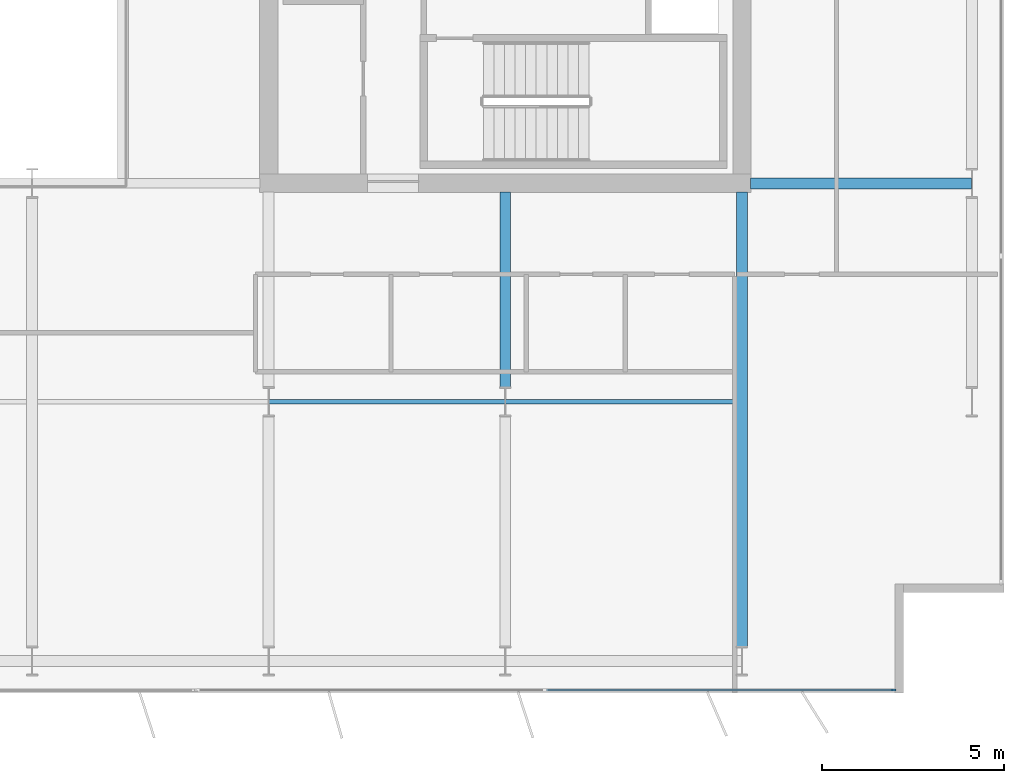
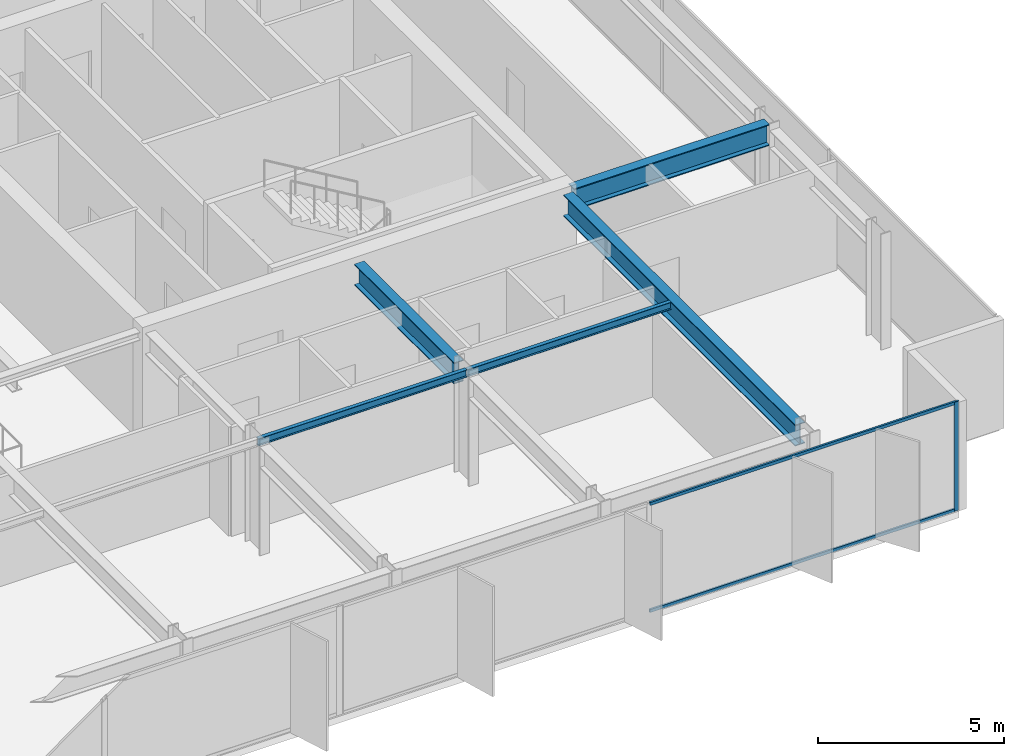
# One storey, part 8 of 23: 5 beams, 3 members, 1 element without a shape of its own.
"""IFC4 building model written with IfcOpenShell, lengths in metres."""

from ifc_helpers import new_model, si_unit, direction, frame, origin, origin_2d, place, context, subcontext, project, spatial, rectangle, i_section, extrude, material, layer, layer_set, material_profile, profile_set, type_object, element, aggregate, save


model = new_model("IFC4")

# Units and contexts
model_context = context("Model", 3, precision=1e-05, world=origin(), true_north=direction((0.0, 1.0)))
body_context = subcontext(model_context, "Body", "Model", "MODEL_VIEW")
ifc_project = project(units=[si_unit("LENGTHUNIT", "METRE"), si_unit("AREAUNIT", "SQUARE_METRE"), si_unit("VOLUMEUNIT", "CUBIC_METRE"), si_unit("PLANEANGLEUNIT", "RADIAN"), si_unit("MASSUNIT", "GRAM", prefix="KILO")], contexts=[model_context])

# Site, building, storey
site_placement = place(None, origin())
site = spatial("IfcSite", under=ifc_project, at=site_placement, CompositionType="ELEMENT")
building_placement = place(site_placement, origin())
building = spatial("IfcBuilding", under=site, at=building_placement, Name="Putna Gate Headquarters", CompositionType="ELEMENT")
storey_placement = place(building_placement, frame((0.0, 0.0, 217.60009765625)))
storey = spatial("IfcBuildingStorey", under=building, at=storey_placement, Name="L54", CompositionType="ELEMENT", Elevation=217.60009765625)

# Beams
ifc_material_1 = material(Name="Steel S355J2", Category="steel")
ifc_material_profile_1 = material_profile(ifc_material_1, i_section(OverallWidth=0.300048828125, OverallDepth=0.699951171875, WebThickness=0.01708984375, FlangeThickness=0.031982421875, at=origin_2d()), Name="Steel S355J2")
ifc_profile_set_1 = profile_set([ifc_material_profile_1], Name="Steel S355J2")
beam_type_1 = type_object("IfcBeamType", Name="BM-GIRD-B-HEB700", PredefinedType="USERDEFINED", material=ifc_profile_set_1)
beam_1_placement = place(storey_placement, frame((65.235107421875, 19.0, 3.22998046875), z_axis=(1.0, 0.0, 0.0), x_axis=(0.0, 1.0, 0.0)))
element("IfcBeam", 1, at=beam_1_placement, inside=storey, type_object=beam_type_1, Name="L54 East Wing Girder Y19", ObjectType="GIRDER", PredefinedType="USERDEFINED", context=body_context, shape_type="SweptSolid", body=[
    extrude(i_section(OverallWidth=0.300048828125, OverallDepth=0.699951171875, WebThickness=0.01708984375, FlangeThickness=0.031982421875, at=origin_2d()), origin(), (0.0, 0.0, 1.0), 6.078857421875),
])
beam_2_placement = place(storey_placement, frame((58.5, 13.39501953125, 3.22998046875), z_axis=(0.0, 1.0, 0.0), x_axis=(-1.0, 0.0, 0.0)))
element("IfcBeam", 2, at=beam_2_placement, inside=storey, type_object=beam_type_1, Name="L54 South Primary Girder X58-2", ObjectType="GIRDER", PredefinedType="USERDEFINED", context=body_context, shape_type="SweptSolid", body=[
    extrude(i_section(OverallWidth=0.300048828125, OverallDepth=0.699951171875, WebThickness=0.01708984375, FlangeThickness=0.031982421875, at=origin_2d()), origin(), (0.0, 0.0, 1.0), 5.369873046875),
])
beam_3_placement = place(storey_placement, frame((65.0, 6.27490234375, 3.22998046875), z_axis=(0.0, 1.0, 0.0), x_axis=(-1.0, 0.0, 0.0)))
element("IfcBeam", 3, at=beam_3_placement, inside=storey, type_object=beam_type_1, Name="L54 South Primary Girder X65", ObjectType="GIRDER", PredefinedType="USERDEFINED", context=body_context, shape_type="SweptSolid", body=[
    extrude(i_section(OverallWidth=0.300048828125, OverallDepth=0.699951171875, WebThickness=0.01708984375, FlangeThickness=0.031982421875, at=origin_2d()), origin(), (0.0, 0.0, 1.0), 12.489990234375),
])
ifc_material_profile_2 = material_profile(ifc_material_1, i_section(OverallWidth=0.1201171875, OverallDepth=0.239990234375, WebThickness=0.006103515625, FlangeThickness=0.009765625, at=origin_2d()), Name="Steel S355J2")
ifc_profile_set_2 = profile_set([ifc_material_profile_2], Name="Steel S355J2")
beam_type_2 = type_object("IfcBeamType", Name="BM-SEC-Z4-IPE240", PredefinedType="JOIST", material=ifc_profile_set_2)
beam_4_placement = place(storey_placement, frame((52.006103515625, 13.0, 3.4599609375), z_axis=(1.0, 0.0, 0.0), x_axis=(0.0, 1.0, 0.0)))
element("IfcBeam", 4, at=beam_4_placement, inside=storey, type_object=beam_type_2, Name="L54 South Secondary Beam 7", PredefinedType="JOIST", context=body_context, shape_type="SweptSolid", body=[
    extrude(i_section(OverallWidth=0.1201171875, OverallDepth=0.239990234375, WebThickness=0.006103515625, FlangeThickness=0.009765625, at=origin_2d()), origin(), (0.0, 0.0, 1.0), 6.48779296875),
])
beam_5_placement = place(storey_placement, frame((58.506103515625, 13.0, 3.4599609375), z_axis=(1.0, 0.0, 0.0), x_axis=(0.0, 1.0, 0.0)))
element("IfcBeam", 5, at=beam_5_placement, inside=storey, type_object=beam_type_2, Name="L54 South Secondary Beam 8", PredefinedType="JOIST", context=body_context, shape_type="SweptSolid", body=[
    extrude(i_section(OverallWidth=0.1201171875, OverallDepth=0.239990234375, WebThickness=0.006103515625, FlangeThickness=0.009765625, at=origin_2d()), origin(), (0.0, 0.0, 1.0), 6.33984375),
])

# Curtain wall, members
ifc_material_2 = material(Name="Anodised bronze aluminium curtain wall", Category="aluminium")
ifc_layer = layer(ifc_material_2, 0.139892578125)
ifc_layer_set = layer_set([ifc_layer], Name="Anodised bronze aluminium curtain wall")
curtain_wall_type = type_object("IfcCurtainWallType", Name="CW-SYS-Z4", PredefinedType="USERDEFINED", material=ifc_layer_set)
curtain_wall_placement = place(storey_placement, origin())
curtain_wall = element("IfcCurtainWall", 6, at=curtain_wall_placement, inside=storey, type_object=curtain_wall_type, Name="L54 South East Curtain Wall", ObjectType="STICK CURTAIN WALL", PredefinedType="USERDEFINED")
ifc_material_3 = material(Name="Anodised bronze aluminium EN AW-6060", Category="aluminium")
ifc_material_profile_3 = material_profile(ifc_material_3, rectangle(XDim=0.06005859375, YDim=0.139892578125, at=origin_2d()), Name="Anodised bronze aluminium EN AW-6060")
ifc_profile_set_3 = profile_set([ifc_material_profile_3], Name="Anodised bronze aluminium EN AW-6060")
member_type_1 = type_object("IfcMemberType", Name="MULL-CWM-4", PredefinedType="MULLION", material=ifc_profile_set_3)
member_1_placement = place(storey_placement, frame((69.169921875, 5.080078125, 0.0), z_axis=(0.0, 0.0, 1.0), x_axis=(0.0, 1.0, 0.0)))
member_1 = element("IfcMember", 7, at=member_1_placement, type_object=member_type_1, Name="CWS-4 mullion 3", PredefinedType="MULLION", context=body_context, shape_type="SweptSolid", body=[
    extrude(rectangle(XDim=0.06005859375, YDim=0.139892578125, at=origin_2d()), origin(), (0.0, 0.0, 1.0), 3.579833984375),
])
ifc_material_profile_4 = material_profile(ifc_material_3, rectangle(XDim=0.06005859375, YDim=0.10009765625, at=origin_2d()), Name="Anodised bronze aluminium EN AW-6060")
ifc_profile_set_4 = profile_set([ifc_material_profile_4], Name="Anodised bronze aluminium EN AW-6060")
member_type_2 = type_object("IfcMemberType", Name="TRAN-CWT-4", PredefinedType="USERDEFINED", material=ifc_profile_set_4)
member_2_placement = place(storey_placement, frame((59.6298828125, 5.080078125, 0.02978515625), z_axis=(1.0, 0.0, 0.0), x_axis=(0.0, 1.0, 0.0)))
member_2 = element("IfcMember", 8, at=member_2_placement, type_object=member_type_2, Name="CWS-4 transom 2.1", ObjectType="TRANSOM", PredefinedType="USERDEFINED", context=body_context, shape_type="SweptSolid", body=[
    extrude(rectangle(XDim=0.06005859375, YDim=0.10009765625, at=origin_2d()), origin(), (0.0, 0.0, 1.0), 9.510009765625),
])
member_3_placement = place(storey_placement, frame((59.6298828125, 5.080078125, 3.5498046875), z_axis=(1.0, 0.0, 0.0), x_axis=(0.0, 1.0, 0.0)))
member_3 = element("IfcMember", 9, at=member_3_placement, type_object=member_type_2, Name="CWS-4 transom 2.2", ObjectType="TRANSOM", PredefinedType="USERDEFINED", context=body_context, shape_type="SweptSolid", body=[
    extrude(rectangle(XDim=0.06005859375, YDim=0.10009765625, at=origin_2d()), origin(), (0.0, 0.0, 1.0), 9.510009765625),
])
aggregate(curtain_wall, [member_1, member_2, member_3])

save(model, "model.ifc")
